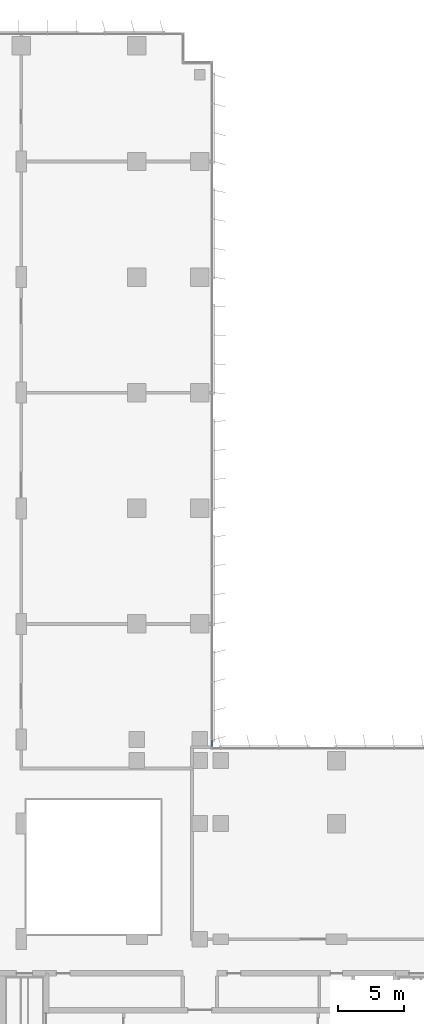
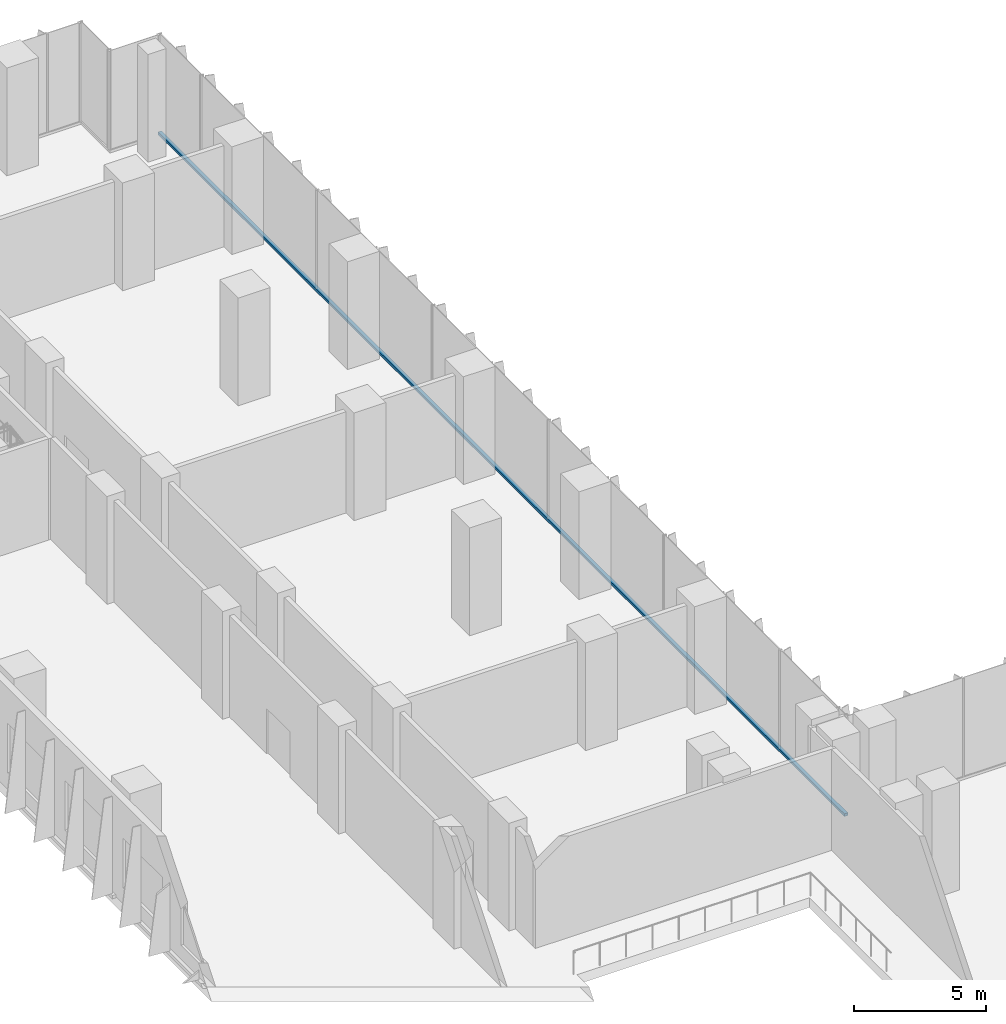
# One storey, part 6 of 23: 1 member, 1 element without a shape of its own.
"""IFC4 building model written with IfcOpenShell, lengths in metres."""

from ifc_helpers import new_model, si_unit, direction, frame, origin, origin_2d, place, context, subcontext, project, spatial, rectangle, extrude, material, material_profile, profile_set, type_object, element, aggregate, save


model = new_model("IFC4")

# Units and contexts
model_context = context("Model", 3, precision=1e-05, world=origin(), true_north=direction((0.0, 1.0)))
body_context = subcontext(model_context, "Body", "Model", "MODEL_VIEW")
ifc_project = project(units=[si_unit("LENGTHUNIT", "METRE"), si_unit("AREAUNIT", "SQUARE_METRE"), si_unit("VOLUMEUNIT", "CUBIC_METRE"), si_unit("PLANEANGLEUNIT", "RADIAN"), si_unit("MASSUNIT", "GRAM", prefix="KILO")], contexts=[model_context])

# Site, building, storey
site_placement = place(None, origin())
site = spatial("IfcSite", under=ifc_project, at=site_placement, CompositionType="ELEMENT")
building_placement = place(site_placement, origin())
building = spatial("IfcBuilding", under=site, at=building_placement, Name="Kemantara Hotel Tower", CompositionType="ELEMENT")
storey_placement = place(building_placement, frame((0.0, 0.0, 71.0)))
storey = spatial("IfcBuildingStorey", under=building, at=storey_placement, Name="L16", CompositionType="ELEMENT", Elevation=71.0)

# Curtain wall, member
ifc_material_1 = material(Name="Low-E tinted double insulated glass 36 mm", Category="glass")
curtain_wall_type = type_object("IfcCurtainWallType", Name="TOWER CURTAIN WALL, FRONT FACES", PredefinedType="USERDEFINED", material=ifc_material_1)
curtain_wall_placement = place(storey_placement, origin())
curtain_wall = element("IfcCurtainWall", 1, at=curtain_wall_placement, inside=storey, type_object=curtain_wall_type, Name="CW4 L16 T1-R08-1", ObjectType="TOWER CURTAIN WALL, FRONT FACES", PredefinedType="USERDEFINED")
ifc_material_2 = material(Name="Aluminium 6063-T6 bronze anodised", Category="aluminium")
ifc_material_profile = material_profile(ifc_material_2, rectangle(XDim=0.14990234375, YDim=0.1201171875, at=origin_2d()), Name="TOWER CURTAIN WALL, FRONT FACES TRANSOM")
ifc_profile_set = profile_set([ifc_material_profile], Name="Aluminium 6063-T6 bronze anodised")
member_type = type_object("IfcMemberType", Name="TOWER CURTAIN WALL, FRONT FACES TRANSOM", PredefinedType="USERDEFINED", material=ifc_profile_set)
member_placement = place(storey_placement, frame((26.72509765625, 26.800048828125, 0.06005859375), z_axis=(0.0, 1.0, 0.0), x_axis=(-1.0, 0.0, 0.0)))
member = element("IfcMember", 2, at=member_placement, type_object=member_type, Name="CW4 sill transom T1-R08-1", ObjectType="TRANSOM", PredefinedType="USERDEFINED", context=body_context, shape_type="SweptSolid", body=[
    extrude(rectangle(XDim=0.14990234375, YDim=0.1201171875, at=origin_2d()), origin(), (0.0, 0.0, 1.0), 52.199951171875),
])
aggregate(curtain_wall, [member])

save(model, "model.ifc")
